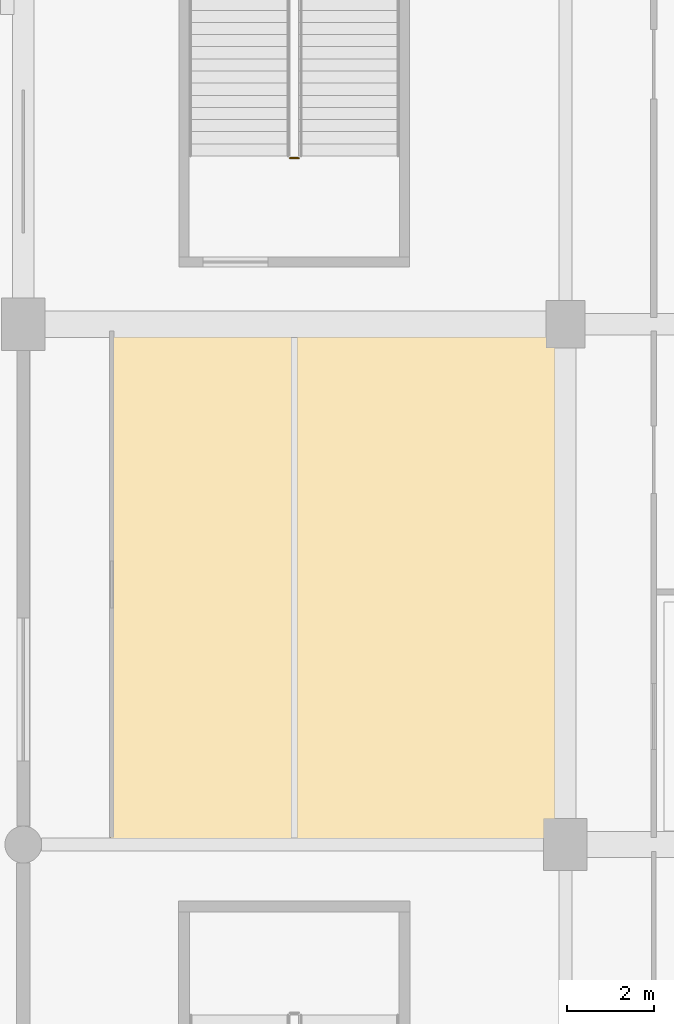
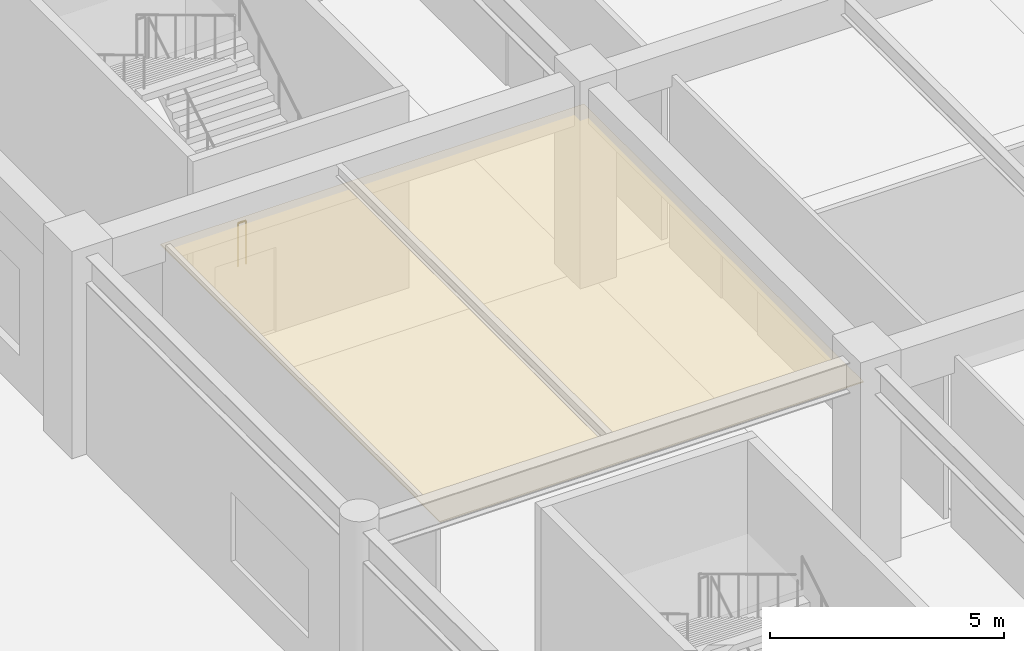
# One storey, part 56 of 69: 1 covering, 1 railing.
"""IFC4 building model written with IfcOpenShell, lengths in metres."""

from ifc_helpers import new_model, si_unit, direction, frame, origin, origin_2d, place, context, subcontext, project, spatial, polyline, circle, outline, extrude, material, layer, layer_set, type_object, element, save


model = new_model("IFC4")

# Units and contexts
model_context = context("Model", 3, precision=1e-05, world=origin(), true_north=direction((0.0, 1.0)))
body_context = subcontext(model_context, "Body", "Model", "MODEL_VIEW")
ifc_project = project(units=[si_unit("LENGTHUNIT", "METRE"), si_unit("AREAUNIT", "SQUARE_METRE"), si_unit("VOLUMEUNIT", "CUBIC_METRE"), si_unit("PLANEANGLEUNIT", "RADIAN"), si_unit("MASSUNIT", "GRAM", prefix="KILO")], contexts=[model_context])

# Site, building, storey
site_placement = place(None, origin())
site = spatial("IfcSite", under=ifc_project, at=site_placement, CompositionType="ELEMENT")
building_placement = place(site_placement, origin())
building = spatial("IfcBuilding", under=site, at=building_placement, Name="Kazenohara Klinker Stadium", CompositionType="ELEMENT")
storey_placement = place(building_placement, origin())
storey = spatial("IfcBuildingStorey", under=building, at=storey_placement, Name="L00", CompositionType="ELEMENT", Elevation=0.0)

# Covering
ifc_material_1 = material(Name="Perforated acoustic mineral-fibre ceiling tile", Category="gypsum")
ifc_layer_1 = layer(ifc_material_1, 0.030029296875)
ifc_layer_set_1 = layer_set([ifc_layer_1], Name="Perforated acoustic mineral-fibre ceiling tile")
covering_type = type_object("IfcCoveringType", Name="COV-CEIL-01", PredefinedType="CEILING", material=ifc_layer_set_1)
covering_placement = place(storey_placement, frame((0.0, 0.0, 4.35009765625)))
element("IfcCovering", 1, at=covering_placement, inside=storey, type_object=covering_type, Name="Suspended acoustic ceiling CL01 Civic Stadium Heritage Museum Exhibition Gallery L00-1409A", PredefinedType="CEILING", context=body_context, shape_type="SweptSolid", body=[
    extrude(outline(polyline([(177.010009765625, 108.0400390625), (187.43994140625, 108.0400390625), (187.43994140625, 119.9599609375), (177.010009765625, 119.9599609375), (177.010009765625, 108.0400390625)])), origin(), (0.0, 0.0, 1.0), 0.02978515625),
])

# Railing
ifc_material_2 = material(Name="Painted steel stairwell guardrail", Category="steel")
ifc_layer_2 = layer(ifc_material_2, 0.06005859375)
ifc_layer_set_2 = layer_set([ifc_layer_2], Name="Painted steel stairwell guardrail")
railing_type = type_object("IfcRailingType", Name="RL-STG-1120", PredefinedType="GUARDRAIL", material=ifc_layer_set_2)
railing_placement = place(storey_placement, frame((181.35009765625, 123.830078125, 0.0)))
element("IfcRailing", 2, at=railing_placement, inside=storey, type_object=railing_type, Name="L00 ST24 stair guard 4", PredefinedType="GUARDRAIL", context=body_context, shape_type="SweptSolid", body=[
    extrude(circle(Radius=0.02392578125, at=origin_2d()), frame((0.0, 0.0, 1.1259765625), z_axis=(-1.0, 0.0, 0.0), x_axis=(0.0, -1.0, 0.0)), (0.0, 0.0, 1.0), 0.2001953125),
    extrude(circle(Radius=0.02099609375, at=origin_2d()), origin(), (0.0, 0.0, 1.0), 1.101806640625),
    extrude(circle(Radius=0.02099609375, at=origin_2d()), frame((-0.2001953125, 0.0, 0.0)), (0.0, 0.0, 1.0), 1.101806640625),
])

save(model, "model.ifc")
